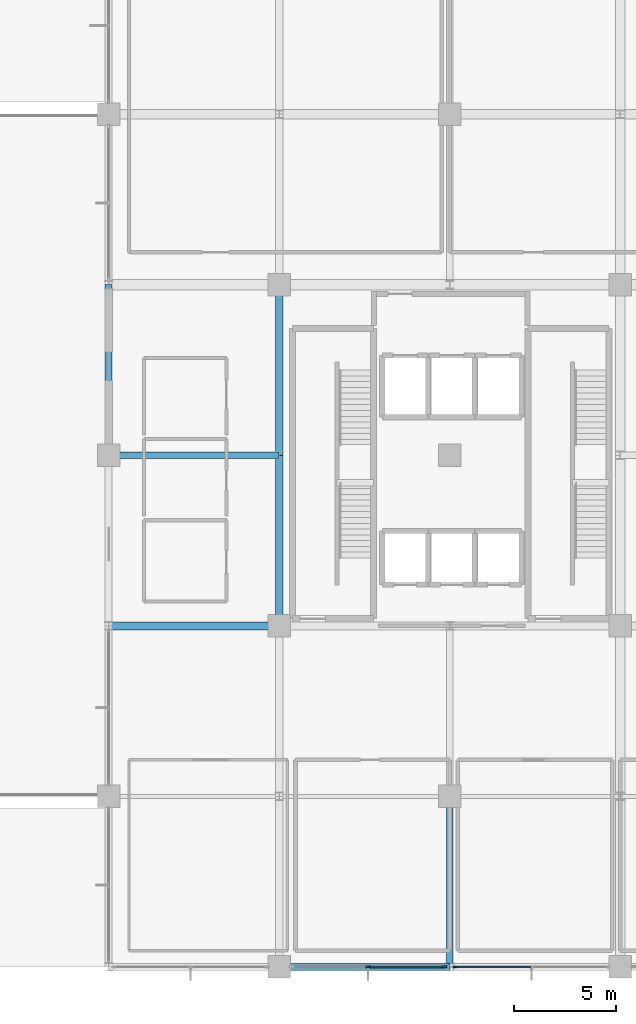
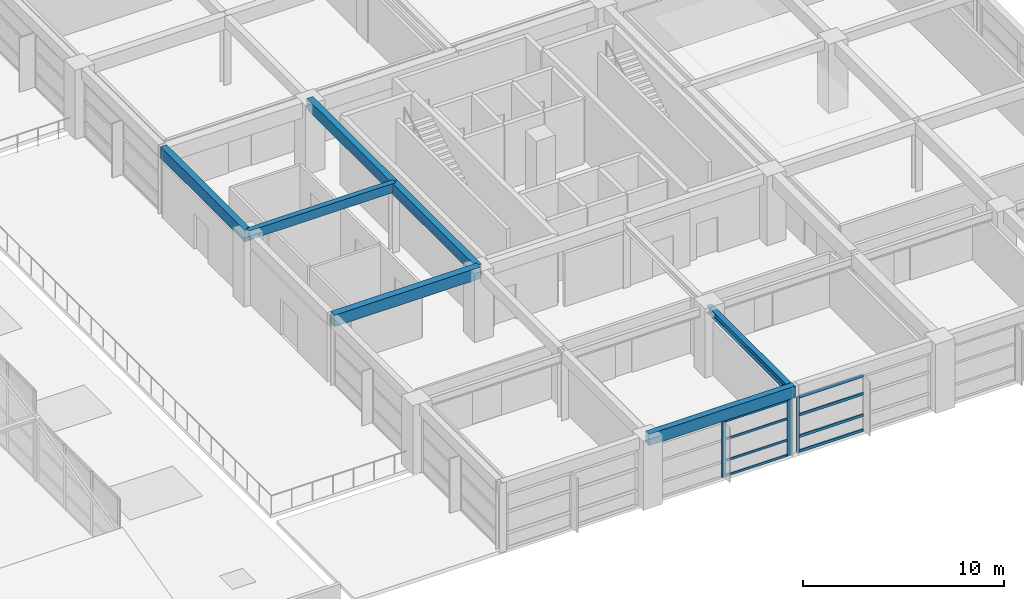
# One storey, part 19 of 34: 11 members, 7 beams, 2 elements without a shape of their own.
"""IFC4 building model written with IfcOpenShell, lengths in metres."""

from ifc_helpers import new_model, si_unit, direction, frame, origin, origin_2d, place, context, subcontext, project, spatial, rectangle, i_section, extrude, material, material_profile, profile_set, type_object, element, aggregate, save


model = new_model("IFC4")

# Units and contexts
model_context = context("Model", 3, precision=1e-05, world=origin(), true_north=direction((0.0, 1.0)))
body_context = subcontext(model_context, "Body", "Model", "MODEL_VIEW")
ifc_project = project(units=[si_unit("LENGTHUNIT", "METRE"), si_unit("AREAUNIT", "SQUARE_METRE"), si_unit("VOLUMEUNIT", "CUBIC_METRE"), si_unit("PLANEANGLEUNIT", "RADIAN"), si_unit("MASSUNIT", "GRAM", prefix="KILO")], contexts=[model_context])

# Site, building, storey
site_placement = place(None, origin())
site = spatial("IfcSite", under=ifc_project, at=site_placement, CompositionType="ELEMENT")
building_placement = place(site_placement, origin())
building = spatial("IfcBuilding", under=site, at=building_placement, Name="Xuanlan Plaza Opera House", CompositionType="ELEMENT")
storey_placement = place(building_placement, frame((0.0, 0.0, 27.89990234375)))
storey = spatial("IfcBuildingStorey", under=building, at=storey_placement, Name="L06", CompositionType="ELEMENT", Elevation=27.89990234375)

# Curtain wall, member
ifc_material_1 = material(Name="Anodised Aluminium 6063-T6 and Low-E Glass", Category="aluminium")
curtain_wall_type_1 = type_object("IfcCurtainWallType", Name="ENV-CW-CW-03", PredefinedType="USERDEFINED", material=ifc_material_1)
curtain_wall_1_placement = place(storey_placement, origin())
curtain_wall_1 = element("IfcCurtainWall", 1, at=curtain_wall_1_placement, inside=storey, type_object=curtain_wall_type_1, Name="Unitised Curtain Wall L06-003", ObjectType="UNITISED CURTAIN WALL", PredefinedType="USERDEFINED")
ifc_material_2 = material(Name="Anodised Aluminium 6063-T6", Category="aluminium")
ifc_material_profile_1 = material_profile(ifc_material_2, rectangle(XDim=0.06494140625, YDim=0.159912109375, at=origin_2d()), Name="ALU-M 65x160")
ifc_profile_set_1 = profile_set([ifc_material_profile_1], Name="Anodised Aluminium 6063-T6")
member_type_1 = type_object("IfcMemberType", Name="ENV-CWM-01", PredefinedType="MULLION", material=ifc_profile_set_1)
member_1_placement = place(storey_placement, frame((143.052490234375, 33.60009765625, 0.0), z_axis=(0.0, 0.0, 1.0), x_axis=(0.0, 1.0, 0.0)))
member_1 = element("IfcMember", 2, at=member_1_placement, type_object=member_type_1, Name="CW-03 mullion 1", PredefinedType="MULLION", context=body_context, shape_type="SweptSolid", body=[
    extrude(rectangle(XDim=0.06494140625, YDim=0.159912109375, at=origin_2d()), origin(), (0.0, 0.0, 1.0), 3.380126953125),
])

# Curtain wall, members
curtain_wall_type_2 = type_object("IfcCurtainWallType", Name="ENV-CW-CW-02", PredefinedType="USERDEFINED", material=ifc_material_1)
curtain_wall_2_placement = place(storey_placement, origin())
curtain_wall_2 = element("IfcCurtainWall", 3, at=curtain_wall_2_placement, inside=storey, type_object=curtain_wall_type_2, Name="Unitised Curtain Wall L06-002", ObjectType="UNITISED CURTAIN WALL", PredefinedType="USERDEFINED")
ifc_material_profile_2 = material_profile(ifc_material_2, rectangle(XDim=0.090087890625, YDim=0.25, at=origin_2d()), Name="ALU-M 90x250")
ifc_profile_set_2 = profile_set([ifc_material_profile_2], Name="Anodised Aluminium 6063-T6")
member_type_2 = type_object("IfcMemberType", Name="ENV-CWM-05", PredefinedType="MULLION", material=ifc_profile_set_2)
member_2_placement = place(storey_placement, frame((138.77490234375, 33.60009765625, 0.0), z_axis=(0.0, 0.0, 1.0), x_axis=(0.0, 1.0, 0.0)))
member_2 = element("IfcMember", 4, at=member_2_placement, type_object=member_type_2, Name="CW-02 mullion 2", PredefinedType="MULLION", context=body_context, shape_type="SweptSolid", body=[
    extrude(rectangle(XDim=0.090087890625, YDim=0.25, at=origin_2d()), origin(), (0.0, 0.0, 1.0), 3.380126953125),
])
member_3_placement = place(storey_placement, frame((142.534912109375, 33.60009765625, 0.0), z_axis=(0.0, 0.0, 1.0), x_axis=(0.0, 1.0, 0.0)))
member_3 = element("IfcMember", 5, at=member_3_placement, type_object=member_type_2, Name="CW-02 mullion 3", PredefinedType="MULLION", context=body_context, shape_type="SweptSolid", body=[
    extrude(rectangle(XDim=0.090087890625, YDim=0.25, at=origin_2d()), origin(), (0.0, 0.0, 1.0), 3.380126953125),
])
ifc_material_profile_3 = material_profile(ifc_material_2, rectangle(XDim=0.070068359375, YDim=0.135009765625, at=origin_2d()), Name="ALU-T 70x135")
ifc_profile_set_3 = profile_set([ifc_material_profile_3], Name="Anodised Aluminium 6063-T6")
member_type_3 = type_object("IfcMemberType", Name="ENV-CWT-02", PredefinedType="USERDEFINED", material=ifc_profile_set_3)
member_4_placement = place(storey_placement, frame((138.820068359375, 33.60009765625, 0.03515625), z_axis=(1.0, 0.0, 0.0), x_axis=(0.0, 1.0, 0.0)))
member_4 = element("IfcMember", 6, at=member_4_placement, type_object=member_type_3, Name="CW-02 transom 2.1", ObjectType="TRANSOM", PredefinedType="USERDEFINED", context=body_context, shape_type="SweptSolid", body=[
    extrude(rectangle(XDim=0.070068359375, YDim=0.135009765625, at=origin_2d()), origin(), (0.0, 0.0, 1.0), 3.669921875),
])
member_5_placement = place(storey_placement, frame((138.820068359375, 33.60009765625, 0.9501953125), z_axis=(1.0, 0.0, 0.0), x_axis=(0.0, 1.0, 0.0)))
member_5 = element("IfcMember", 7, at=member_5_placement, type_object=member_type_3, Name="CW-02 transom 2.2", ObjectType="TRANSOM", PredefinedType="USERDEFINED", context=body_context, shape_type="SweptSolid", body=[
    extrude(rectangle(XDim=0.070068359375, YDim=0.135009765625, at=origin_2d()), origin(), (0.0, 0.0, 1.0), 3.669921875),
])
member_6_placement = place(storey_placement, frame((138.820068359375, 33.60009765625, 2.25), z_axis=(1.0, 0.0, 0.0), x_axis=(0.0, 1.0, 0.0)))
member_6 = element("IfcMember", 8, at=member_6_placement, type_object=member_type_3, Name="CW-02 transom 2.3", ObjectType="TRANSOM", PredefinedType="USERDEFINED", context=body_context, shape_type="SweptSolid", body=[
    extrude(rectangle(XDim=0.070068359375, YDim=0.135009765625, at=origin_2d()), origin(), (0.0, 0.0, 1.0), 3.669921875),
])
member_7_placement = place(storey_placement, frame((138.820068359375, 33.60009765625, 3.34521484375), z_axis=(1.0, 0.0, 0.0), x_axis=(0.0, 1.0, 0.0)))
member_7 = element("IfcMember", 9, at=member_7_placement, type_object=member_type_3, Name="CW-02 transom 2.4", ObjectType="TRANSOM", PredefinedType="USERDEFINED", context=body_context, shape_type="SweptSolid", body=[
    extrude(rectangle(XDim=0.070068359375, YDim=0.135009765625, at=origin_2d()), origin(), (0.0, 0.0, 1.0), 3.669921875),
])
aggregate(curtain_wall_2, [member_2, member_3, member_4, member_5, member_6, member_7])

# Member
ifc_material_profile_4 = material_profile(ifc_material_2, rectangle(XDim=0.080078125, YDim=0.1650390625, at=origin_2d()), Name="ALU-T 80x165")
ifc_profile_set_4 = profile_set([ifc_material_profile_4], Name="Anodised Aluminium 6063-T6")
member_type_4 = type_object("IfcMemberType", Name="ENV-CWT-04", PredefinedType="USERDEFINED", material=ifc_profile_set_4)
member_8_placement = place(storey_placement, frame((143.0849609375, 33.60009765625, 0.0400390625), z_axis=(1.0, 0.0, 0.0), x_axis=(0.0, 1.0, 0.0)))
member_8 = element("IfcMember", 10, at=member_8_placement, type_object=member_type_4, Name="CW-03 transom 1.1", ObjectType="TRANSOM", PredefinedType="USERDEFINED", context=body_context, shape_type="SweptSolid", body=[
    extrude(rectangle(XDim=0.080078125, YDim=0.1650390625, at=origin_2d()), origin(), (0.0, 0.0, 1.0), 3.70751953125),
])

member_9_placement = place(storey_placement, frame((143.0849609375, 33.60009765625, 0.9501953125), z_axis=(1.0, 0.0, 0.0), x_axis=(0.0, 1.0, 0.0)))
member_9 = element("IfcMember", 11, at=member_9_placement, type_object=member_type_4, Name="CW-03 transom 1.2", ObjectType="TRANSOM", PredefinedType="USERDEFINED", context=body_context, shape_type="SweptSolid", body=[
    extrude(rectangle(XDim=0.080078125, YDim=0.1650390625, at=origin_2d()), origin(), (0.0, 0.0, 1.0), 3.70751953125),
])

member_10_placement = place(storey_placement, frame((143.0849609375, 33.60009765625, 2.25), z_axis=(1.0, 0.0, 0.0), x_axis=(0.0, 1.0, 0.0)))
member_10 = element("IfcMember", 12, at=member_10_placement, type_object=member_type_4, Name="CW-03 transom 1.3", ObjectType="TRANSOM", PredefinedType="USERDEFINED", context=body_context, shape_type="SweptSolid", body=[
    extrude(rectangle(XDim=0.080078125, YDim=0.1650390625, at=origin_2d()), origin(), (0.0, 0.0, 1.0), 3.70751953125),
])

member_11_placement = place(storey_placement, frame((143.0849609375, 33.60009765625, 3.340087890625), z_axis=(1.0, 0.0, 0.0), x_axis=(0.0, 1.0, 0.0)))
member_11 = element("IfcMember", 13, at=member_11_placement, type_object=member_type_4, Name="CW-03 transom 1.4", ObjectType="TRANSOM", PredefinedType="USERDEFINED", context=body_context, shape_type="SweptSolid", body=[
    extrude(rectangle(XDim=0.080078125, YDim=0.1650390625, at=origin_2d()), origin(), (0.0, 0.0, 1.0), 3.70751953125),
])

aggregate(curtain_wall_1, [member_1, member_8, member_9, member_10, member_11])

# Beams
ifc_material_3 = material(Name="Concrete C40", Category="concrete")
ifc_material_profile_5 = material_profile(ifc_material_3, rectangle(XDim=0.39990234375, YDim=0.699951171875, at=origin_2d()), Name="RC-BM 400x700")
ifc_profile_set_5 = profile_set([ifc_material_profile_5], Name="Concrete C40")
beam_type_1 = type_object("IfcBeamType", Name="STR-BM-B-07", PredefinedType="BEAM", material=ifc_profile_set_5)
beam_1_placement = place(storey_placement, frame((126.0, 50.39990234375, 3.85009765625), z_axis=(1.0, 0.0, 0.0), x_axis=(0.0, 1.0, 0.0)))
element("IfcBeam", 14, at=beam_1_placement, inside=storey, type_object=beam_type_1, Name="Grid Beam X L06 16-17/G", PredefinedType="BEAM", context=body_context, shape_type="SweptSolid", body=[
    extrude(rectangle(XDim=0.39990234375, YDim=0.699951171875, at=origin_2d()), origin(), (0.0, 0.0, 1.0), 8.39990234375),
])
ifc_material_profile_6 = material_profile(ifc_material_3, rectangle(XDim=0.35009765625, YDim=0.64990234375, at=origin_2d()), Name="RC-BM 350x650")
ifc_profile_set_6 = profile_set([ifc_material_profile_6], Name="Concrete C40")
beam_type_2 = type_object("IfcBeamType", Name="STR-BM-B-08", PredefinedType="BEAM", material=ifc_profile_set_6)
beam_2_placement = place(storey_placement, frame((134.39990234375, 50.39990234375, 3.875), z_axis=(0.0, 1.0, 0.0), x_axis=(-1.0, 0.0, 0.0)))
element("IfcBeam", 15, at=beam_2_placement, inside=storey, type_object=beam_type_2, Name="Grid Beam Y L06 17/G-H", PredefinedType="BEAM", context=body_context, shape_type="SweptSolid", body=[
    extrude(rectangle(XDim=0.35009765625, YDim=0.64990234375, at=origin_2d()), origin(), (0.0, 0.0, 1.0), 8.400146484375),
])
beam_3_placement = place(storey_placement, frame((134.39990234375, 58.800048828125, 3.875), z_axis=(0.0, 1.0, 0.0), x_axis=(-1.0, 0.0, 0.0)))
element("IfcBeam", 16, at=beam_3_placement, inside=storey, type_object=beam_type_2, Name="Grid Beam Y L06 17/H-I", PredefinedType="BEAM", context=body_context, shape_type="SweptSolid", body=[
    extrude(rectangle(XDim=0.35009765625, YDim=0.64990234375, at=origin_2d()), origin(), (0.0, 0.0, 1.0), 8.39990234375),
])
ifc_material_profile_7 = material_profile(ifc_material_3, rectangle(XDim=0.300048828125, YDim=0.550048828125, at=origin_2d()), Name="RC-BM 300x550")
ifc_profile_set_7 = profile_set([ifc_material_profile_7], Name="Concrete C40")
beam_type_3 = type_object("IfcBeamType", Name="STR-BM-B-09", PredefinedType="BEAM", material=ifc_profile_set_7)
beam_4_placement = place(storey_placement, frame((126.0, 58.800048828125, 3.925048828125), z_axis=(1.0, 0.0, 0.0), x_axis=(0.0, 1.0, 0.0)))
element("IfcBeam", 17, at=beam_4_placement, inside=storey, type_object=beam_type_3, Name="Grid Beam X L06 16-17/H", PredefinedType="BEAM", context=body_context, shape_type="SweptSolid", body=[
    extrude(rectangle(XDim=0.300048828125, YDim=0.550048828125, at=origin_2d()), origin(), (0.0, 0.0, 1.0), 8.39990234375),
])
ifc_material_4 = material(Name="Steel Q355B", Category="steel")
ifc_material_profile_8 = material_profile(ifc_material_4, i_section(OverallWidth=0.300048828125, OverallDepth=0.43994140625, WebThickness=0.010986328125, FlangeThickness=0.01806640625, FilletRadius=0.02001953125, at=origin_2d()), Name="HM 440x300x11x18")
ifc_profile_set_8 = profile_set([ifc_material_profile_8], Name="Steel Q355B")
beam_type_4 = type_object("IfcBeamType", Name="STR-BM-SB-08", PredefinedType="BEAM", material=ifc_profile_set_8)
beam_5_placement = place(storey_placement, frame((142.800048828125, 33.60009765625, 3.735107421875), z_axis=(0.0, 1.0, 0.0), x_axis=(-1.0, 0.0, 0.0)))
element("IfcBeam", 18, at=beam_5_placement, inside=storey, type_object=beam_type_4, Name="Grid Beam Y L06 18/E-F", PredefinedType="BEAM", context=body_context, shape_type="SweptSolid", body=[
    extrude(i_section(OverallWidth=0.300048828125, OverallDepth=0.43994140625, WebThickness=0.010986328125, FlangeThickness=0.01806640625, FilletRadius=0.02001953125, at=origin_2d()), origin(), (0.0, 0.0, 1.0), 8.39990234375),
])
ifc_material_profile_9 = material_profile(ifc_material_3, rectangle(XDim=0.35009765625, YDim=0.699951171875, at=origin_2d()), Name="RC-SPD 350x700")
ifc_profile_set_9 = profile_set([ifc_material_profile_9], Name="Concrete C40")
beam_type_5 = type_object("IfcBeamType", Name="STR-BM-SP-02", PredefinedType="SPANDREL", material=ifc_profile_set_9)
beam_6_placement = place(storey_placement, frame((134.39990234375, 33.60009765625, 3.85009765625), z_axis=(1.0, 0.0, 0.0), x_axis=(0.0, 1.0, 0.0)))
element("IfcBeam", 19, at=beam_6_placement, inside=storey, type_object=beam_type_5, Name="Grid Beam X L06 17-18/E", PredefinedType="SPANDREL", context=body_context, shape_type="SweptSolid", body=[
    extrude(rectangle(XDim=0.35009765625, YDim=0.699951171875, at=origin_2d()), origin(), (0.0, 0.0, 1.0), 8.400146484375),
])
beam_7_placement = place(storey_placement, frame((126.0, 58.800048828125, 3.85009765625), z_axis=(0.0, 1.0, 0.0), x_axis=(-1.0, 0.0, 0.0)))
element("IfcBeam", 20, at=beam_7_placement, inside=storey, type_object=beam_type_5, Name="Grid Beam Y L06 16/H-I", PredefinedType="SPANDREL", context=body_context, shape_type="SweptSolid", body=[
    extrude(rectangle(XDim=0.35009765625, YDim=0.699951171875, at=origin_2d()), origin(), (0.0, 0.0, 1.0), 8.39990234375),
])

save(model, "model.ifc")
